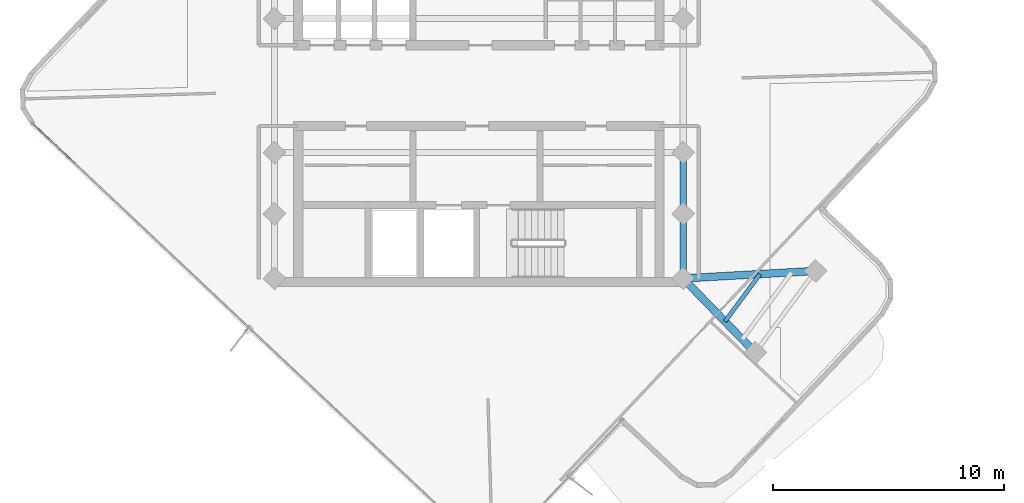
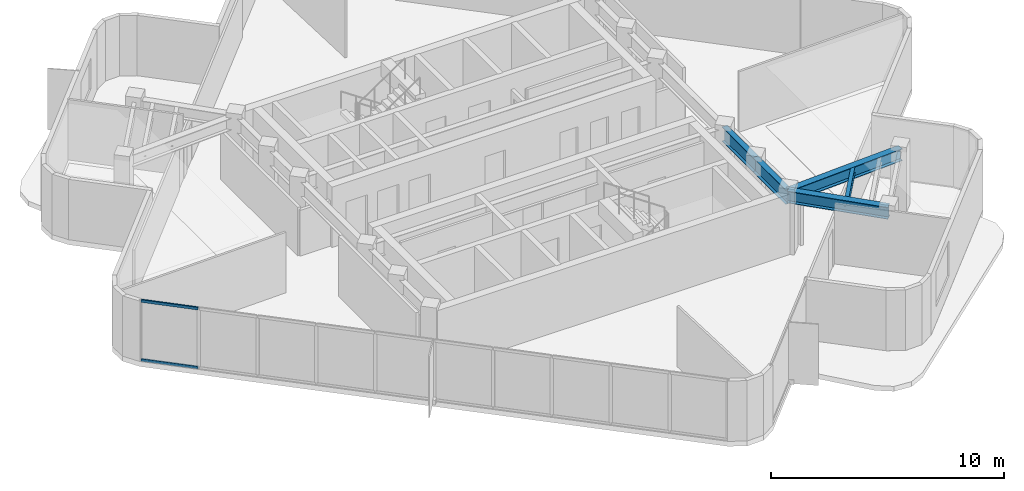
# One storey, part 3 of 10: 5 beams, 2 members, 1 element without a shape of its own.
"""IFC4 building model written with IfcOpenShell, lengths in metres."""

from ifc_helpers import new_model, si_unit, direction, frame, origin, origin_2d, place, context, subcontext, project, spatial, rectangle, i_section, extrude, material, layer, layer_set, material_profile, profile_set, type_object, element, aggregate, save


model = new_model("IFC4")

# Units and contexts
model_context = context("Model", 3, precision=1e-05, world=origin(), true_north=direction((0.0, 1.0)))
body_context = subcontext(model_context, "Body", "Model", "MODEL_VIEW")
ifc_project = project(units=[si_unit("LENGTHUNIT", "METRE"), si_unit("AREAUNIT", "SQUARE_METRE"), si_unit("VOLUMEUNIT", "CUBIC_METRE"), si_unit("PLANEANGLEUNIT", "RADIAN"), si_unit("MASSUNIT", "GRAM", prefix="KILO")], contexts=[model_context])

# Site, building, storey
site_placement = place(None, origin())
site = spatial("IfcSite", under=ifc_project, at=site_placement, CompositionType="ELEMENT")
building_placement = place(site_placement, origin())
building = spatial("IfcBuilding", under=site, at=building_placement, Name="Solmarez Civic Tower", CompositionType="ELEMENT")
storey_placement = place(building_placement, frame((0.0, 0.0, 244.080078125)))
storey = spatial("IfcBuildingStorey", under=building, at=storey_placement, Name="L65", CompositionType="ELEMENT", Elevation=244.080078125)

# Beams
ifc_material_1 = material(Name="Steel S355", Category="steel")
ifc_material_profile_1 = material_profile(ifc_material_1, i_section(OverallWidth=0.178955078125, OverallDepth=0.409912109375, WebThickness=0.0087890625, FlangeThickness=0.014404296875, at=origin_2d()), Name="W16X45")
ifc_profile_set_1 = profile_set([ifc_material_profile_1], Name="Steel S355")
beam_type_1 = type_object("IfcBeamType", Name="BM-JS-W16X45", PredefinedType="JOIST", material=ifc_profile_set_1)
beam_1_placement = place(storey_placement, frame((10.659912109375, -10.215087890625, 2.954833984375), z_axis=(0.593812477683, 0.804603468392, 0.0), x_axis=(-0.804603468392, 0.593812477683, 0.0)))
element("IfcBeam", 1, at=beam_1_placement, inside=storey, type_object=beam_type_1, Name="L65 Secondary Floor Joist JS-L65-SA-M11", PredefinedType="JOIST", context=body_context, shape_type="SweptSolid", body=[
    extrude(i_section(OverallWidth=0.178955078125, OverallDepth=0.409912109375, WebThickness=0.0087890625, FlangeThickness=0.014404296875, at=origin_2d()), origin(), (0.0, 0.0, 1.0), 2.551513671875),
])
ifc_material_profile_2 = material_profile(ifc_material_1, i_section(OverallWidth=0.327880859375, OverallDepth=0.6220703125, WebThickness=0.015380859375, FlangeThickness=0.0244140625, at=origin_2d()), Name="W24X131")
ifc_profile_set_2 = profile_set([ifc_material_profile_2], Name="Steel S355")
beam_type_2 = type_object("IfcBeamType", Name="BM-PR-W24X131", PredefinedType="BEAM", material=ifc_profile_set_2)
beam_2_placement = place(storey_placement, frame((8.85009765625, -8.35009765625, 2.848876953125), z_axis=(0.696430820305, -0.717623935309, 0.0), x_axis=(0.717623935309, 0.696430820305, 0.0)))
element("IfcBeam", 2, at=beam_2_placement, inside=storey, type_object=beam_type_2, Name="L65 Primary Floor Beam BM-L65-SA-R1A", PredefinedType="BEAM", context=body_context, shape_type="SweptSolid", body=[
    extrude(i_section(OverallWidth=0.327880859375, OverallDepth=0.6220703125, WebThickness=0.015380859375, FlangeThickness=0.0244140625, at=origin_2d()), origin(), (0.0, 0.0, 1.0), 4.481201171875),
])
beam_3_placement = place(storey_placement, frame((8.85009765625, -8.35009765625, 2.848876953125), z_axis=(0.998404650863, 0.056463732917, 0.0), x_axis=(-0.056463732917, 0.998404650863, 0.0)))
element("IfcBeam", 3, at=beam_3_placement, inside=storey, type_object=beam_type_2, Name="L65 Primary Floor Beam BM-L65-SA-R1B", PredefinedType="BEAM", context=body_context, shape_type="SweptSolid", body=[
    extrude(i_section(OverallWidth=0.327880859375, OverallDepth=0.6220703125, WebThickness=0.015380859375, FlangeThickness=0.0244140625, at=origin_2d()), origin(), (0.0, 0.0, 1.0), 5.7421875),
])
ifc_material_profile_3 = material_profile(ifc_material_1, i_section(OverallWidth=0.26708984375, OverallDepth=0.761962890625, WebThickness=0.014404296875, FlangeThickness=0.021484375, at=origin_2d()), Name="W30X116")
ifc_profile_set_3 = profile_set([ifc_material_profile_3], Name="Steel S355")
beam_type_3 = type_object("IfcBeamType", Name="BM-PR-W30X116", PredefinedType="BEAM", material=ifc_profile_set_3)
beam_4_placement = place(storey_placement, frame((8.85009765625, -8.35009765625, 2.77880859375), z_axis=(0.0, 1.0, 0.0), x_axis=(-1.0, 0.0, 0.0)))
element("IfcBeam", 4, at=beam_4_placement, inside=storey, type_object=beam_type_3, Name="L65 Primary Floor Beam BM-L65-HC10-HC5", PredefinedType="BEAM", context=body_context, shape_type="SweptSolid", body=[
    extrude(i_section(OverallWidth=0.26708984375, OverallDepth=0.761962890625, WebThickness=0.014404296875, FlangeThickness=0.021484375, at=origin_2d()), origin(), (0.0, 0.0, 1.0), 2.800048828125),
])
beam_5_placement = place(storey_placement, frame((8.85009765625, -5.550048828125, 2.77880859375), z_axis=(0.0, 1.0, 0.0), x_axis=(-1.0, 0.0, 0.0)))
element("IfcBeam", 5, at=beam_5_placement, inside=storey, type_object=beam_type_3, Name="L65 Primary Floor Beam BM-L65-HC5-HC6", PredefinedType="BEAM", context=body_context, shape_type="SweptSolid", body=[
    extrude(i_section(OverallWidth=0.26708984375, OverallDepth=0.761962890625, WebThickness=0.014404296875, FlangeThickness=0.021484375, at=origin_2d()), origin(), (0.0, 0.0, 1.0), 2.650146484375),
])

# Curtain wall, members
ifc_material_2 = material(Name="Bronze Anodised Aluminium EN AW-6063 T6", Category="aluminium")
ifc_layer = layer(ifc_material_2, 0.1650390625)
ifc_layer_set = layer_set([ifc_layer], Name="Bronze Anodised Aluminium EN AW-6063 T6")
curtain_wall_type = type_object("IfcCurtainWallType", Name="CW-SYS-4", PredefinedType="NOTDEFINED", material=ifc_layer_set)
curtain_wall_placement = place(storey_placement, origin())
curtain_wall = element("IfcCurtainWall", 6, at=curtain_wall_placement, inside=storey, type_object=curtain_wall_type, Name="L65 Stick-Built Curtain Wall 2", PredefinedType="NOTDEFINED")
ifc_material_profile_4 = material_profile(ifc_material_2, rectangle(XDim=0.070068359375, YDim=0.139892578125, at=origin_2d()), Name="CWT-70X140")
ifc_profile_set_4 = profile_set([ifc_material_profile_4], Name="Bronze Anodised Aluminium EN AW-6063 T6")
member_type = type_object("IfcMemberType", Name="CWT-TYPE-1", PredefinedType="USERDEFINED", material=ifc_profile_set_4)
member_1_placement = place(storey_placement, frame((-17.479736328125, -3.3779296875, 0.034912109375), z_axis=(-0.727535140756, 0.686070418372, 0.0), x_axis=(-0.686070418372, -0.727535140756, 0.0)))
member_1 = element("IfcMember", 7, at=member_1_placement, type_object=member_type, Name="CWS4 transom 10.1", ObjectType="TRANSOM", PredefinedType="USERDEFINED", context=body_context, shape_type="SweptSolid", body=[
    extrude(rectangle(XDim=0.070068359375, YDim=0.139892578125, at=origin_2d()), origin(), (0.0, 0.0, 1.0), 2.50244140625),
])
member_2_placement = place(storey_placement, frame((-17.479736328125, -3.3779296875, 3.125), z_axis=(-0.727535140756, 0.686070418372, 0.0), x_axis=(-0.686070418372, -0.727535140756, 0.0)))
member_2 = element("IfcMember", 8, at=member_2_placement, type_object=member_type, Name="CWS4 transom 10.2", ObjectType="TRANSOM", PredefinedType="USERDEFINED", context=body_context, shape_type="SweptSolid", body=[
    extrude(rectangle(XDim=0.070068359375, YDim=0.139892578125, at=origin_2d()), origin(), (0.0, 0.0, 1.0), 2.50244140625),
])
aggregate(curtain_wall, [member_1, member_2])

save(model, "model.ifc")
